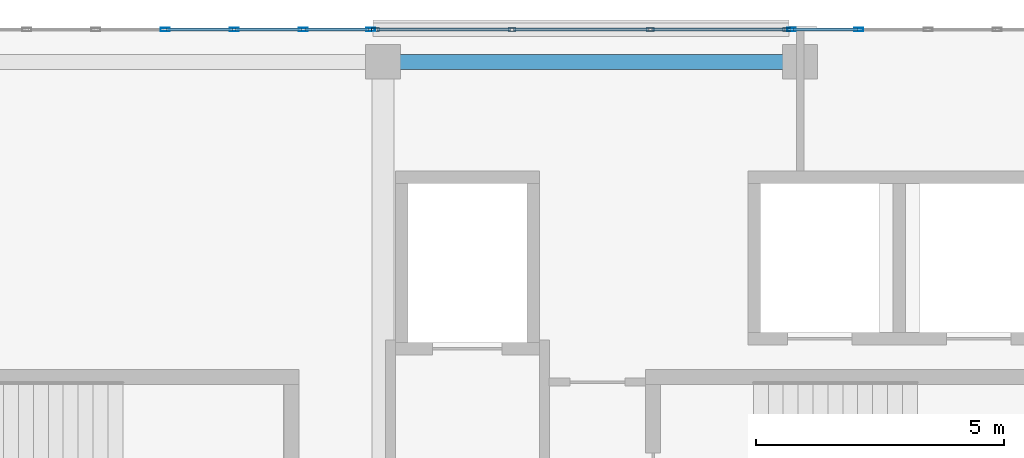
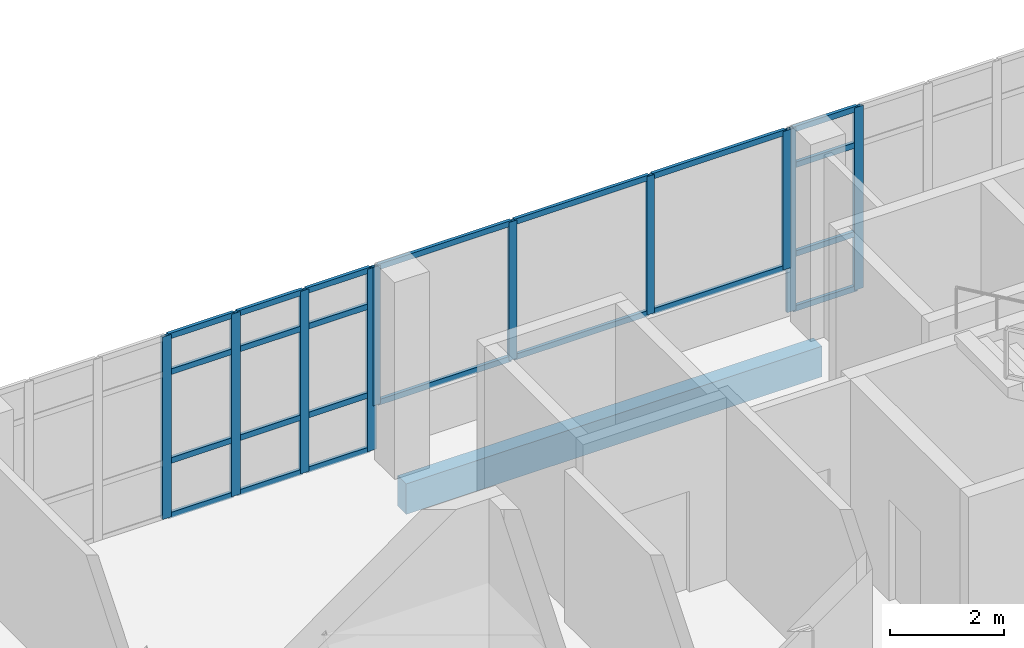
# One storey, part 113 of 184: 32 members, 1 beam, 3 elements without a shape of their own.
"""IFC4 building model written with IfcOpenShell, lengths in metres."""

import ifcopenshell
import ifcopenshell.guid

model = None  # the IFC model being written
_history = None  # IfcOwnerHistory: only IFC2X3 demands one
_inside = {}  # id of a spatial element -> (the spatial element, [elements in it])
_under = {}  # id of a project, library or spatial element -> (it, [spatial elements below it])
_declared = {}  # id of a project -> (the project, [libraries it declares])
_typed = {}  # id of a type object -> (the type object, [elements of that type])
_made_of = {}  # id of a material, layer set ... -> (it, [elements and type objects made of it])


def new_model(schema):
    """Start an empty IFC model of exactly this schema.

    Asked for "IFC4X3", IfcOpenShell would pick the latest addendum, in which some entities
    have other attributes; the version numbers below select the first issue.
    IFC2X3 requires an IfcOwnerHistory on every rooted entity: one is made here for all.
    """
    global model, _history
    if schema == "IFC4X3":
        model = ifcopenshell.file(schema_version=(4, 3, 0, 0))
    else:
        model = ifcopenshell.file(schema=schema)
    _inside.clear()
    _under.clear()
    _declared.clear()
    _typed.clear()
    _made_of.clear()
    _history = None
    if model.schema == "IFC2X3":
        org = make("IfcOrganization", Name="unknown")
        user = make(
            "IfcPersonAndOrganization",
            ThePerson=make("IfcPerson", FamilyName="unknown"),
            TheOrganization=org,
        )
        app = make(
            "IfcApplication",
            ApplicationDeveloper=org,
            Version="unknown",
            ApplicationFullName="unknown",
            ApplicationIdentifier="unknown",
        )
        _history = make(
            "IfcOwnerHistory",
            OwningUser=user,
            OwningApplication=app,
            ChangeAction="ADDED",
            CreationDate=0,
        )
    return model


def make(cls, **values):
    """One entity of the class cls with the attributes given. An attribute that is None is left unset."""
    return model.create_entity(
        cls, **{name: value for name, value in values.items() if value is not None}
    )


def rooted(cls, **values):
    """An entity with a GlobalId (a new one), such as an element, a storey or a relation."""
    return make(cls, GlobalId=ifcopenshell.guid.new(), OwnerHistory=_history, **values)


def si_unit(unit_type, name, prefix=None):
    """IfcSIUnit, for example si_unit("LENGTHUNIT", "METRE", prefix="MILLI")."""
    return make("IfcSIUnit", UnitType=unit_type, Prefix=prefix, Name=name)


def assignment(units):
    """IfcUnitAssignment: the units of a project."""
    return None if units is None else make("IfcUnitAssignment", Units=units)


def point(xyz):
    """IfcCartesianPoint."""
    return None if xyz is None else make("IfcCartesianPoint", Coordinates=xyz)


def direction(xyz):
    """IfcDirection."""
    return None if xyz is None else make("IfcDirection", DirectionRatios=xyz)


def frame(location, z_axis=None, x_axis=None):
    """IfcAxis2Placement3D, a coordinate frame: its origin and axes. An axis left out is left unset."""
    return make(
        "IfcAxis2Placement3D",
        Location=point(location),
        Axis=direction(z_axis),
        RefDirection=direction(x_axis),
    )


def frame_2d(location, x_axis=None):
    """IfcAxis2Placement2D, a coordinate frame in the plane: its origin and x axis."""
    return make(
        "IfcAxis2Placement2D", Location=point(location), RefDirection=direction(x_axis)
    )


def origin():
    """The frame at (0, 0, 0) with its axes left unset."""
    return frame((0.0, 0.0, 0.0))


def origin_2d():
    """The frame at (0, 0) in the plane with its x axis left unset."""
    return frame_2d((0.0, 0.0))


def place(relative_to, where):
    """IfcLocalPlacement: puts the frame where relative to a parent placement (None: the world)."""
    return make(
        "IfcLocalPlacement", PlacementRelTo=relative_to, RelativePlacement=where
    )


def context(
    kind, dimensions, precision=None, world=None, true_north=None, identifier=None
):
    """IfcGeometricRepresentationContext, for example the 3D "Model" context."""
    return make(
        "IfcGeometricRepresentationContext",
        ContextIdentifier=identifier,
        ContextType=kind,
        CoordinateSpaceDimension=dimensions,
        Precision=precision,
        WorldCoordinateSystem=world,
        TrueNorth=true_north,
    )


def subcontext(parent, identifier, kind, view, scale=None):
    """IfcGeometricRepresentationSubContext, for example "Body" below "Model"."""
    return make(
        "IfcGeometricRepresentationSubContext",
        ContextIdentifier=identifier,
        ContextType=kind,
        ParentContext=parent,
        TargetScale=scale,
        TargetView=view,
    )


def project(units=None, contexts=None):
    """IfcProject with its units and contexts."""
    return rooted(
        "IfcProject",
        Name="project",
        RepresentationContexts=contexts,
        UnitsInContext=assignment(units),
    )


def spatial(cls, under=None, at=None, **own):
    """A site, building, storey or space (cls), placed at a placement, below another one or the project."""
    s = rooted(cls, ObjectPlacement=at, **own)
    if under is not None:
        _under.setdefault(under.id(), (under, []))[1].append(s)
    return s


def profile(cls, at=None, kind="AREA", **sizes):
    """A parametric profile (cls). Its sizes go by their IFC names, for example OverallWidth=200.0."""
    return make(cls, ProfileType=kind, Position=at, **sizes)


def rectangle(**sizes):
    """IfcRectangleProfileDef."""
    return profile("IfcRectangleProfileDef", **sizes)


def hollow_rectangle(**sizes):
    """IfcRectangleHollowProfileDef."""
    return profile("IfcRectangleHollowProfileDef", **sizes)


def extrude(swept, where, along, depth):
    """IfcExtrudedAreaSolid: the profile swept, set in the frame where, extruded along a direction by depth."""
    return make(
        "IfcExtrudedAreaSolid",
        SweptArea=swept,
        Position=where,
        ExtrudedDirection=direction(along),
        Depth=depth,
    )


def shape(context_of_items, identifier, shape_type, items):
    """IfcShapeRepresentation: the items that make up one representation, for example the "Body"."""
    return make(
        "IfcShapeRepresentation",
        ContextOfItems=context_of_items,
        RepresentationIdentifier=identifier,
        RepresentationType=shape_type,
        Items=items,
    )


def material(Name=None, Category=None):
    """IfcMaterial."""
    return make("IfcMaterial", Name=Name, Category=Category)


def material_profile(
    of_material, cross_section, Name=None, Category=None, Priority=None
):
    """IfcMaterialProfile: a cross section and its material."""
    return make(
        "IfcMaterialProfile",
        Name=Name,
        Material=of_material,
        Profile=cross_section,
        Priority=Priority,
        Category=Category,
    )


def profile_set(profiles, Name=None, composite=None):
    """IfcMaterialProfileSet."""
    return make(
        "IfcMaterialProfileSet",
        Name=Name,
        MaterialProfiles=profiles,
        CompositeProfile=composite,
    )


def made_of(thing, what):
    """Note that an element or type object is made of a material, layer set ...; save() writes the relation."""
    if what is not None:
        _made_of.setdefault(what.id(), (what, []))[1].append(thing)
    return thing


def type_object(cls, material=None, **own):
    """A type object (cls), such as IfcWallType, which elements share."""
    return made_of(rooted(cls, **own), material)


def element(
    cls,
    number,
    at=None,
    inside=None,
    cuts=None,
    type_object=None,
    material=None,
    context=None,
    identifier="Body",
    shape_type=None,
    held_by="IfcProductDefinitionShape",
    body=None,
    shapes=None,
    **own,
):
    """One element of the class cls, such as IfcWall. Its Tag is "e" and its number.

    at: its placement. inside: the storey or other place that contains it. cuts: it is an
    opening in that element (IfcRelVoidsElement). A single representation is given by context,
    identifier, shape_type and body (its items); several are given by shapes. held_by: the class
    of the entity that holds the representations. save() writes the other relations.
    """
    e = rooted(cls, Tag="e%d" % number, ObjectPlacement=at, **own)
    if body is not None:
        shapes = [shape(context, identifier, shape_type, body)]
    if shapes is not None:
        e.Representation = make(held_by, Representations=shapes)
    if inside is not None:
        _inside.setdefault(inside.id(), (inside, []))[1].append(e)
    if cuts is not None:
        rooted(
            "IfcRelVoidsElement", RelatingBuildingElement=cuts, RelatedOpeningElement=e
        )
    if type_object is not None:
        _typed.setdefault(type_object.id(), (type_object, []))[1].append(e)
    return made_of(e, material)


def aggregate(whole, parts):
    """IfcRelAggregates: a whole, such as a stair, and the parts it consists of."""
    return rooted("IfcRelAggregates", RelatingObject=whole, RelatedObjects=parts)


def save(model, path):
    """Write the relations noted so far, then the file.

    IfcRelAggregates (storeys below a building ...), IfcRelContainedInSpatialStructure (elements
    in a storey), IfcRelDefinesByType, IfcRelAssociatesMaterial and IfcRelDeclares: one each for
    every whole, place, type object, material and project.
    """
    for whole, parts in _under.values():
        aggregate(whole, parts)
    for where, things in _inside.values():
        rooted(
            "IfcRelContainedInSpatialStructure",
            RelatedElements=things,
            RelatingStructure=where,
        )
    for kind, things in _typed.values():
        rooted("IfcRelDefinesByType", RelatedObjects=things, RelatingType=kind)
    for what, things in _made_of.values():
        rooted("IfcRelAssociatesMaterial", RelatedObjects=things, RelatingMaterial=what)
    for by, libraries in _declared.values():
        rooted("IfcRelDeclares", RelatingContext=by, RelatedDefinitions=libraries)
    model.write(path)


model = new_model("IFC4")

# Units and contexts
model_context = context("Model", 3, precision=1e-05, world=origin(), true_north=direction((0.0, 1.0)))
body_context = subcontext(model_context, "Body", "Model", "MODEL_VIEW")
ifc_project = project(units=[si_unit("LENGTHUNIT", "METRE"), si_unit("AREAUNIT", "SQUARE_METRE"), si_unit("VOLUMEUNIT", "CUBIC_METRE"), si_unit("PLANEANGLEUNIT", "RADIAN"), si_unit("MASSUNIT", "GRAM", prefix="KILO")], contexts=[model_context])

# Site, building, storey
site_placement = place(None, origin())
site = spatial("IfcSite", under=ifc_project, at=site_placement, CompositionType="ELEMENT")
building_placement = place(site_placement, origin())
building = spatial("IfcBuilding", under=site, at=building_placement, Name="Selatvlak General Hospital", CompositionType="ELEMENT")
storey_placement = place(building_placement, frame((0.0, 0.0, 15.0)))
storey = spatial("IfcBuildingStorey", under=building, at=storey_placement, Name="L03", CompositionType="ELEMENT", Elevation=15.0)

# Beam
ifc_material_1 = material(Name="Concrete C40/50", Category="concrete")
ifc_material_profile_1 = material_profile(ifc_material_1, rectangle(XDim=0.300048828125, YDim=0.64990234375, at=origin_2d()), Name="RC-SP 300x650")
ifc_profile_set_1 = profile_set([ifc_material_profile_1], Name="Concrete C40/50")
beam_type = type_object("IfcBeamType", Name="BM-SP1", PredefinedType="SPANDREL", material=ifc_profile_set_1)
beam_placement = place(storey_placement, frame((98.39990234375, 119.35009765625, -0.6650390625), z_axis=(1.0, 0.0, 0.0), x_axis=(0.0, 1.0, 0.0)))
element("IfcBeam", 1, at=beam_placement, inside=storey, type_object=beam_type, Name="Beam BMR-L03-1283", PredefinedType="SPANDREL", context=body_context, shape_type="SweptSolid", body=[
    extrude(rectangle(XDim=0.300048828125, YDim=0.64990234375, at=origin_2d()), origin(), (0.0, 0.0, 1.0), 8.400146484375),
])

# Curtain wall, members
ifc_material_2 = material(Name="Solar-control Low-E double glazing", Category="glass")
curtain_wall_type_1 = type_object("IfcCurtainWallType", Name="CW-CW-01", PredefinedType="USERDEFINED", material=ifc_material_2)
curtain_wall_1_placement = place(storey_placement, origin())
curtain_wall_1 = element("IfcCurtainWall", 2, at=curtain_wall_1_placement, inside=storey, type_object=curtain_wall_type_1, Name="Glazed facade curtain wall CW-L03-0374", ObjectType="UNITISED CURTAIN WALL", PredefinedType="USERDEFINED")
ifc_material_3 = material(Name="Dark anodised aluminium mullion", Category="aluminium")
ifc_material_profile_2 = material_profile(ifc_material_3, hollow_rectangle(XDim=0.06494140625, YDim=0.159912109375, WallThickness=0.00390625, at=origin_2d()), Name="AL-MUL 65x160x4")
ifc_profile_set_2 = profile_set([ifc_material_profile_2], Name="Dark anodised aluminium mullion")
member_type_1 = type_object("IfcMemberType", Name="CWM-01", PredefinedType="MULLION", material=ifc_profile_set_2)
member_1_placement = place(storey_placement, frame((98.24755859375, 119.9990234375, 0.93994140625), z_axis=(0.0, 0.0, 1.0), x_axis=(-0.000119774825, 0.999999992827, 0.0)))
member_1 = element("IfcMember", 3, at=member_1_placement, type_object=member_type_1, Name="CW-01 mullion 1", PredefinedType="MULLION", context=body_context, shape_type="SweptSolid", body=[
    extrude(hollow_rectangle(XDim=0.06494140625, YDim=0.159912109375, WallThickness=0.00390625, at=origin_2d()), origin(), (0.0, 0.0, 1.0), 2.955078125),
])
member_2_placement = place(storey_placement, frame((100.998046875, 119.999267578125, 0.93994140625), z_axis=(0.0, 0.0, 1.0), x_axis=(-0.000119774825, 0.999999992827, 0.0)))
member_2 = element("IfcMember", 4, at=member_2_placement, type_object=member_type_1, Name="CW-01 mullion 2", PredefinedType="MULLION", context=body_context, shape_type="SweptSolid", body=[
    extrude(hollow_rectangle(XDim=0.06494140625, YDim=0.159912109375, WallThickness=0.00390625, at=origin_2d()), origin(), (0.0, 0.0, 1.0), 2.955078125),
])
member_3_placement = place(storey_placement, frame((103.781005859375, 119.999755859375, 0.93994140625), z_axis=(0.0, 0.0, 1.0), x_axis=(-0.000119774825, 0.999999992827, 0.0)))
member_3 = element("IfcMember", 5, at=member_3_placement, type_object=member_type_1, Name="CW-01 mullion 3", PredefinedType="MULLION", context=body_context, shape_type="SweptSolid", body=[
    extrude(hollow_rectangle(XDim=0.06494140625, YDim=0.159912109375, WallThickness=0.00390625, at=origin_2d()), origin(), (0.0, 0.0, 1.0), 2.955078125),
])
member_4_placement = place(storey_placement, frame((106.531494140625, 120.0, 0.93994140625), z_axis=(0.0, 0.0, 1.0), x_axis=(-0.000119774825, 0.999999992827, 0.0)))
member_4 = element("IfcMember", 6, at=member_4_placement, type_object=member_type_1, Name="CW-01 mullion 4", PredefinedType="MULLION", context=body_context, shape_type="SweptSolid", body=[
    extrude(hollow_rectangle(XDim=0.06494140625, YDim=0.159912109375, WallThickness=0.00390625, at=origin_2d()), origin(), (0.0, 0.0, 1.0), 2.955078125),
])

curtain_wall_type_2 = type_object("IfcCurtainWallType", Name="CW-CW-04", PredefinedType="USERDEFINED", material=ifc_material_2)
curtain_wall_2_placement = place(storey_placement, origin())
curtain_wall_2 = element("IfcCurtainWall", 7, at=curtain_wall_2_placement, inside=storey, type_object=curtain_wall_type_2, Name="Glazed facade curtain wall CW-L03-0373", ObjectType="STICK GLAZING WALL", PredefinedType="USERDEFINED")
ifc_material_profile_3 = material_profile(ifc_material_3, hollow_rectangle(XDim=0.06494140625, YDim=0.179931640625, WallThickness=0.00439453125, at=origin_2d()), Name="AL-MUL 65x180x4.5")
ifc_profile_set_3 = profile_set([ifc_material_profile_3], Name="Dark anodised aluminium mullion")
member_type_2 = type_object("IfcMemberType", Name="CWM-02", PredefinedType="MULLION", material=ifc_profile_set_3)
member_5_placement = place(storey_placement, frame((94.010009765625, 119.9990234375, 0.0), z_axis=(0.0, 0.0, 1.0), x_axis=(0.0, 1.0, 0.0)))
member_5 = element("IfcMember", 8, at=member_5_placement, type_object=member_type_2, Name="CW-04 mullion 4", PredefinedType="MULLION", context=body_context, shape_type="SweptSolid", body=[
    extrude(hollow_rectangle(XDim=0.06494140625, YDim=0.179931640625, WallThickness=0.00439453125, at=origin_2d()), origin(), (0.0, 0.0, 1.0), 3.89501953125),
])
member_6_placement = place(storey_placement, frame((95.401611328125, 119.9990234375, 0.0), z_axis=(0.0, 0.0, 1.0), x_axis=(0.0, 1.0, 0.0)))
member_6 = element("IfcMember", 9, at=member_6_placement, type_object=member_type_2, Name="CW-04 mullion 5", PredefinedType="MULLION", context=body_context, shape_type="SweptSolid", body=[
    extrude(hollow_rectangle(XDim=0.06494140625, YDim=0.179931640625, WallThickness=0.00439453125, at=origin_2d()), origin(), (0.0, 0.0, 1.0), 3.89501953125),
])
member_7_placement = place(storey_placement, frame((96.793212890625, 119.9990234375, 0.0), z_axis=(0.0, 0.0, 1.0), x_axis=(0.0, 1.0, 0.0)))
member_7 = element("IfcMember", 10, at=member_7_placement, type_object=member_type_2, Name="CW-04 mullion 6", PredefinedType="MULLION", context=body_context, shape_type="SweptSolid", body=[
    extrude(hollow_rectangle(XDim=0.06494140625, YDim=0.179931640625, WallThickness=0.00439453125, at=origin_2d()), origin(), (0.0, 0.0, 1.0), 3.89501953125),
])
member_8_placement = place(storey_placement, frame((98.152587890625, 119.9990234375, 0.0), z_axis=(0.0, 0.0, 1.0), x_axis=(0.0, 1.0, 0.0)))
member_8 = element("IfcMember", 11, at=member_8_placement, type_object=member_type_2, Name="CW-04 mullion 7", PredefinedType="MULLION", context=body_context, shape_type="SweptSolid", body=[
    extrude(hollow_rectangle(XDim=0.06494140625, YDim=0.179931640625, WallThickness=0.00439453125, at=origin_2d()), origin(), (0.0, 0.0, 1.0), 3.89501953125),
])

curtain_wall_3_placement = place(storey_placement, origin())
curtain_wall_3 = element("IfcCurtainWall", 12, at=curtain_wall_3_placement, inside=storey, type_object=curtain_wall_type_2, Name="Glazed facade curtain wall CW-L03-0375", ObjectType="STICK GLAZING WALL", PredefinedType="USERDEFINED")
member_9_placement = place(storey_placement, frame((106.62646484375, 120.0, 0.0), z_axis=(0.0, 0.0, 1.0), x_axis=(0.0, 1.0, 0.0)))
member_9 = element("IfcMember", 13, at=member_9_placement, type_object=member_type_2, Name="CW-04 mullion 1", PredefinedType="MULLION", context=body_context, shape_type="SweptSolid", body=[
    extrude(hollow_rectangle(XDim=0.06494140625, YDim=0.179931640625, WallThickness=0.00439453125, at=origin_2d()), origin(), (0.0, 0.0, 1.0), 3.89501953125),
])
member_10_placement = place(storey_placement, frame((107.985595703125, 120.0, 0.0), z_axis=(0.0, 0.0, 1.0), x_axis=(0.0, 1.0, 0.0)))
member_10 = element("IfcMember", 14, at=member_10_placement, type_object=member_type_2, Name="CW-04 mullion 2", PredefinedType="MULLION", context=body_context, shape_type="SweptSolid", body=[
    extrude(hollow_rectangle(XDim=0.06494140625, YDim=0.179931640625, WallThickness=0.00439453125, at=origin_2d()), origin(), (0.0, 0.0, 1.0), 3.89501953125),
])

# Member
ifc_material_profile_4 = material_profile(ifc_material_3, hollow_rectangle(XDim=0.06494140625, YDim=0.1201171875, WallThickness=0.00390625, at=origin_2d()), Name="AL-TRN 65x120x4")
ifc_profile_set_4 = profile_set([ifc_material_profile_4], Name="Dark anodised aluminium mullion")
member_type_3 = type_object("IfcMemberType", Name="CWT-01", PredefinedType="USERDEFINED", material=ifc_profile_set_4)
member_11_placement = place(storey_placement, frame((94.04248046875, 119.9990234375, 0.032470703125), z_axis=(1.0, 0.0, 0.0), x_axis=(0.0, 1.0, 0.0)))
member_11 = element("IfcMember", 15, at=member_11_placement, type_object=member_type_3, Name="CW-04 transom 4.1", ObjectType="TRANSOM", PredefinedType="USERDEFINED", context=body_context, shape_type="SweptSolid", body=[
    extrude(hollow_rectangle(XDim=0.06494140625, YDim=0.1201171875, WallThickness=0.00390625, at=origin_2d()), origin(), (0.0, 0.0, 1.0), 1.32666015625),
])

member_12_placement = place(storey_placement, frame((94.04248046875, 119.9990234375, 1.199951171875), z_axis=(1.0, 0.0, 0.0), x_axis=(0.0, 1.0, 0.0)))
member_12 = element("IfcMember", 16, at=member_12_placement, type_object=member_type_3, Name="CW-04 transom 4.2", ObjectType="TRANSOM", PredefinedType="USERDEFINED", context=body_context, shape_type="SweptSolid", body=[
    extrude(hollow_rectangle(XDim=0.06494140625, YDim=0.1201171875, WallThickness=0.00390625, at=origin_2d()), origin(), (0.0, 0.0, 1.0), 1.32666015625),
])

member_13_placement = place(storey_placement, frame((94.04248046875, 119.9990234375, 3.094970703125), z_axis=(1.0, 0.0, 0.0), x_axis=(0.0, 1.0, 0.0)))
member_13 = element("IfcMember", 17, at=member_13_placement, type_object=member_type_3, Name="CW-04 transom 4.3", ObjectType="TRANSOM", PredefinedType="USERDEFINED", context=body_context, shape_type="SweptSolid", body=[
    extrude(hollow_rectangle(XDim=0.06494140625, YDim=0.1201171875, WallThickness=0.00390625, at=origin_2d()), origin(), (0.0, 0.0, 1.0), 1.32666015625),
])

member_14_placement = place(storey_placement, frame((94.04248046875, 119.9990234375, 3.862548828125), z_axis=(1.0, 0.0, 0.0), x_axis=(0.0, 1.0, 0.0)))
member_14 = element("IfcMember", 18, at=member_14_placement, type_object=member_type_3, Name="CW-04 transom 4.4", ObjectType="TRANSOM", PredefinedType="USERDEFINED", context=body_context, shape_type="SweptSolid", body=[
    extrude(hollow_rectangle(XDim=0.06494140625, YDim=0.1201171875, WallThickness=0.00390625, at=origin_2d()), origin(), (0.0, 0.0, 1.0), 1.32666015625),
])

member_15_placement = place(storey_placement, frame((95.43408203125, 119.9990234375, 0.032470703125), z_axis=(1.0, 0.0, 0.0), x_axis=(0.0, 1.0, 0.0)))
member_15 = element("IfcMember", 19, at=member_15_placement, type_object=member_type_3, Name="CW-04 transom 5.1", ObjectType="TRANSOM", PredefinedType="USERDEFINED", context=body_context, shape_type="SweptSolid", body=[
    extrude(hollow_rectangle(XDim=0.06494140625, YDim=0.1201171875, WallThickness=0.00390625, at=origin_2d()), origin(), (0.0, 0.0, 1.0), 1.32666015625),
])

member_16_placement = place(storey_placement, frame((95.43408203125, 119.9990234375, 1.199951171875), z_axis=(1.0, 0.0, 0.0), x_axis=(0.0, 1.0, 0.0)))
member_16 = element("IfcMember", 20, at=member_16_placement, type_object=member_type_3, Name="CW-04 transom 5.2", ObjectType="TRANSOM", PredefinedType="USERDEFINED", context=body_context, shape_type="SweptSolid", body=[
    extrude(hollow_rectangle(XDim=0.06494140625, YDim=0.1201171875, WallThickness=0.00390625, at=origin_2d()), origin(), (0.0, 0.0, 1.0), 1.32666015625),
])

member_17_placement = place(storey_placement, frame((95.43408203125, 119.9990234375, 3.094970703125), z_axis=(1.0, 0.0, 0.0), x_axis=(0.0, 1.0, 0.0)))
member_17 = element("IfcMember", 21, at=member_17_placement, type_object=member_type_3, Name="CW-04 transom 5.3", ObjectType="TRANSOM", PredefinedType="USERDEFINED", context=body_context, shape_type="SweptSolid", body=[
    extrude(hollow_rectangle(XDim=0.06494140625, YDim=0.1201171875, WallThickness=0.00390625, at=origin_2d()), origin(), (0.0, 0.0, 1.0), 1.32666015625),
])

member_18_placement = place(storey_placement, frame((95.43408203125, 119.9990234375, 3.862548828125), z_axis=(1.0, 0.0, 0.0), x_axis=(0.0, 1.0, 0.0)))
member_18 = element("IfcMember", 22, at=member_18_placement, type_object=member_type_3, Name="CW-04 transom 5.4", ObjectType="TRANSOM", PredefinedType="USERDEFINED", context=body_context, shape_type="SweptSolid", body=[
    extrude(hollow_rectangle(XDim=0.06494140625, YDim=0.1201171875, WallThickness=0.00390625, at=origin_2d()), origin(), (0.0, 0.0, 1.0), 1.32666015625),
])

member_19_placement = place(storey_placement, frame((96.825927734375, 119.9990234375, 0.032470703125), z_axis=(1.0, 0.0, 0.0), x_axis=(0.0, 1.0, 0.0)))
member_19 = element("IfcMember", 23, at=member_19_placement, type_object=member_type_3, Name="CW-04 transom 6.1", ObjectType="TRANSOM", PredefinedType="USERDEFINED", context=body_context, shape_type="SweptSolid", body=[
    extrude(hollow_rectangle(XDim=0.06494140625, YDim=0.1201171875, WallThickness=0.00390625, at=origin_2d()), origin(), (0.0, 0.0, 1.0), 1.294189453125),
])

member_20_placement = place(storey_placement, frame((96.825927734375, 119.9990234375, 1.199951171875), z_axis=(1.0, 0.0, 0.0), x_axis=(0.0, 1.0, 0.0)))
member_20 = element("IfcMember", 24, at=member_20_placement, type_object=member_type_3, Name="CW-04 transom 6.2", ObjectType="TRANSOM", PredefinedType="USERDEFINED", context=body_context, shape_type="SweptSolid", body=[
    extrude(hollow_rectangle(XDim=0.06494140625, YDim=0.1201171875, WallThickness=0.00390625, at=origin_2d()), origin(), (0.0, 0.0, 1.0), 1.294189453125),
])

member_21_placement = place(storey_placement, frame((96.825927734375, 119.9990234375, 3.094970703125), z_axis=(1.0, 0.0, 0.0), x_axis=(0.0, 1.0, 0.0)))
member_21 = element("IfcMember", 25, at=member_21_placement, type_object=member_type_3, Name="CW-04 transom 6.3", ObjectType="TRANSOM", PredefinedType="USERDEFINED", context=body_context, shape_type="SweptSolid", body=[
    extrude(hollow_rectangle(XDim=0.06494140625, YDim=0.1201171875, WallThickness=0.00390625, at=origin_2d()), origin(), (0.0, 0.0, 1.0), 1.294189453125),
])

member_22_placement = place(storey_placement, frame((96.825927734375, 119.9990234375, 3.862548828125), z_axis=(1.0, 0.0, 0.0), x_axis=(0.0, 1.0, 0.0)))
member_22 = element("IfcMember", 26, at=member_22_placement, type_object=member_type_3, Name="CW-04 transom 6.4", ObjectType="TRANSOM", PredefinedType="USERDEFINED", context=body_context, shape_type="SweptSolid", body=[
    extrude(hollow_rectangle(XDim=0.06494140625, YDim=0.1201171875, WallThickness=0.00390625, at=origin_2d()), origin(), (0.0, 0.0, 1.0), 1.294189453125),
])

aggregate(curtain_wall_2, [member_5, member_6, member_7, member_8, member_11, member_12, member_13, member_14, member_15, member_16, member_17, member_18, member_19, member_20, member_21, member_22])

member_23_placement = place(storey_placement, frame((98.280029296875, 119.9990234375, 0.972412109375), z_axis=(0.999999995868, 9.0909091e-05, 0.0), x_axis=(-9.0909091e-05, 0.999999995868, 0.0)))
member_23 = element("IfcMember", 27, at=member_23_placement, type_object=member_type_3, Name="CW-01 transom 1.1", ObjectType="TRANSOM", PredefinedType="USERDEFINED", context=body_context, shape_type="SweptSolid", body=[
    extrude(hollow_rectangle(XDim=0.06494140625, YDim=0.1201171875, WallThickness=0.00390625, at=origin_2d()), origin(), (0.0, 0.0, 1.0), 2.685546875),
])

member_24_placement = place(storey_placement, frame((98.280029296875, 119.9990234375, 3.862548828125), z_axis=(0.999999995868, 9.0909091e-05, 0.0), x_axis=(-9.0909091e-05, 0.999999995868, 0.0)))
member_24 = element("IfcMember", 28, at=member_24_placement, type_object=member_type_3, Name="CW-01 transom 1.2", ObjectType="TRANSOM", PredefinedType="USERDEFINED", context=body_context, shape_type="SweptSolid", body=[
    extrude(hollow_rectangle(XDim=0.06494140625, YDim=0.1201171875, WallThickness=0.00390625, at=origin_2d()), origin(), (0.0, 0.0, 1.0), 2.685546875),
])

member_25_placement = place(storey_placement, frame((101.030517578125, 119.999267578125, 0.972412109375), z_axis=(0.999999983864, 0.000179646094, 0.0), x_axis=(-0.000179646094, 0.999999983864, 0.0)))
member_25 = element("IfcMember", 29, at=member_25_placement, type_object=member_type_3, Name="CW-01 transom 2.1", ObjectType="TRANSOM", PredefinedType="USERDEFINED", context=body_context, shape_type="SweptSolid", body=[
    extrude(hollow_rectangle(XDim=0.06494140625, YDim=0.1201171875, WallThickness=0.00390625, at=origin_2d()), origin(), (0.0, 0.0, 1.0), 2.718017578125),
])

member_26_placement = place(storey_placement, frame((101.030517578125, 119.999267578125, 3.862548828125), z_axis=(0.999999983864, 0.000179646094, 0.0), x_axis=(-0.000179646094, 0.999999983864, 0.0)))
member_26 = element("IfcMember", 30, at=member_26_placement, type_object=member_type_3, Name="CW-01 transom 2.2", ObjectType="TRANSOM", PredefinedType="USERDEFINED", context=body_context, shape_type="SweptSolid", body=[
    extrude(hollow_rectangle(XDim=0.06494140625, YDim=0.1201171875, WallThickness=0.00390625, at=origin_2d()), origin(), (0.0, 0.0, 1.0), 2.718017578125),
])

member_27_placement = place(storey_placement, frame((103.8134765625, 119.999755859375, 0.972412109375), z_axis=(0.999999995868, 9.0909091e-05, 0.0), x_axis=(-9.0909091e-05, 0.999999995868, 0.0)))
member_27 = element("IfcMember", 31, at=member_27_placement, type_object=member_type_3, Name="CW-01 transom 3.1", ObjectType="TRANSOM", PredefinedType="USERDEFINED", context=body_context, shape_type="SweptSolid", body=[
    extrude(hollow_rectangle(XDim=0.06494140625, YDim=0.1201171875, WallThickness=0.00390625, at=origin_2d()), origin(), (0.0, 0.0, 1.0), 2.685546875),
])

member_28_placement = place(storey_placement, frame((103.8134765625, 119.999755859375, 3.862548828125), z_axis=(0.999999995868, 9.0909091e-05, 0.0), x_axis=(-9.0909091e-05, 0.999999995868, 0.0)))
member_28 = element("IfcMember", 32, at=member_28_placement, type_object=member_type_3, Name="CW-01 transom 3.2", ObjectType="TRANSOM", PredefinedType="USERDEFINED", context=body_context, shape_type="SweptSolid", body=[
    extrude(hollow_rectangle(XDim=0.06494140625, YDim=0.1201171875, WallThickness=0.00390625, at=origin_2d()), origin(), (0.0, 0.0, 1.0), 2.685546875),
])

aggregate(curtain_wall_1, [member_1, member_2, member_3, member_4, member_23, member_24, member_25, member_26, member_27, member_28])

member_29_placement = place(storey_placement, frame((106.658935546875, 120.0, 0.032470703125), z_axis=(1.0, 0.0, 0.0), x_axis=(0.0, 1.0, 0.0)))
member_29 = element("IfcMember", 33, at=member_29_placement, type_object=member_type_3, Name="CW-04 transom 1.1", ObjectType="TRANSOM", PredefinedType="USERDEFINED", context=body_context, shape_type="SweptSolid", body=[
    extrude(hollow_rectangle(XDim=0.06494140625, YDim=0.1201171875, WallThickness=0.00390625, at=origin_2d()), origin(), (0.0, 0.0, 1.0), 1.294189453125),
])

member_30_placement = place(storey_placement, frame((106.658935546875, 120.0, 1.199951171875), z_axis=(1.0, 0.0, 0.0), x_axis=(0.0, 1.0, 0.0)))
member_30 = element("IfcMember", 34, at=member_30_placement, type_object=member_type_3, Name="CW-04 transom 1.2", ObjectType="TRANSOM", PredefinedType="USERDEFINED", context=body_context, shape_type="SweptSolid", body=[
    extrude(hollow_rectangle(XDim=0.06494140625, YDim=0.1201171875, WallThickness=0.00390625, at=origin_2d()), origin(), (0.0, 0.0, 1.0), 1.294189453125),
])

member_31_placement = place(storey_placement, frame((106.658935546875, 120.0, 3.094970703125), z_axis=(1.0, 0.0, 0.0), x_axis=(0.0, 1.0, 0.0)))
member_31 = element("IfcMember", 35, at=member_31_placement, type_object=member_type_3, Name="CW-04 transom 1.3", ObjectType="TRANSOM", PredefinedType="USERDEFINED", context=body_context, shape_type="SweptSolid", body=[
    extrude(hollow_rectangle(XDim=0.06494140625, YDim=0.1201171875, WallThickness=0.00390625, at=origin_2d()), origin(), (0.0, 0.0, 1.0), 1.294189453125),
])

member_32_placement = place(storey_placement, frame((106.658935546875, 120.0, 3.862548828125), z_axis=(1.0, 0.0, 0.0), x_axis=(0.0, 1.0, 0.0)))
member_32 = element("IfcMember", 36, at=member_32_placement, type_object=member_type_3, Name="CW-04 transom 1.4", ObjectType="TRANSOM", PredefinedType="USERDEFINED", context=body_context, shape_type="SweptSolid", body=[
    extrude(hollow_rectangle(XDim=0.06494140625, YDim=0.1201171875, WallThickness=0.00390625, at=origin_2d()), origin(), (0.0, 0.0, 1.0), 1.294189453125),
])

aggregate(curtain_wall_3, [member_9, member_10, member_29, member_30, member_31, member_32])

save(model, "model.ifc")
